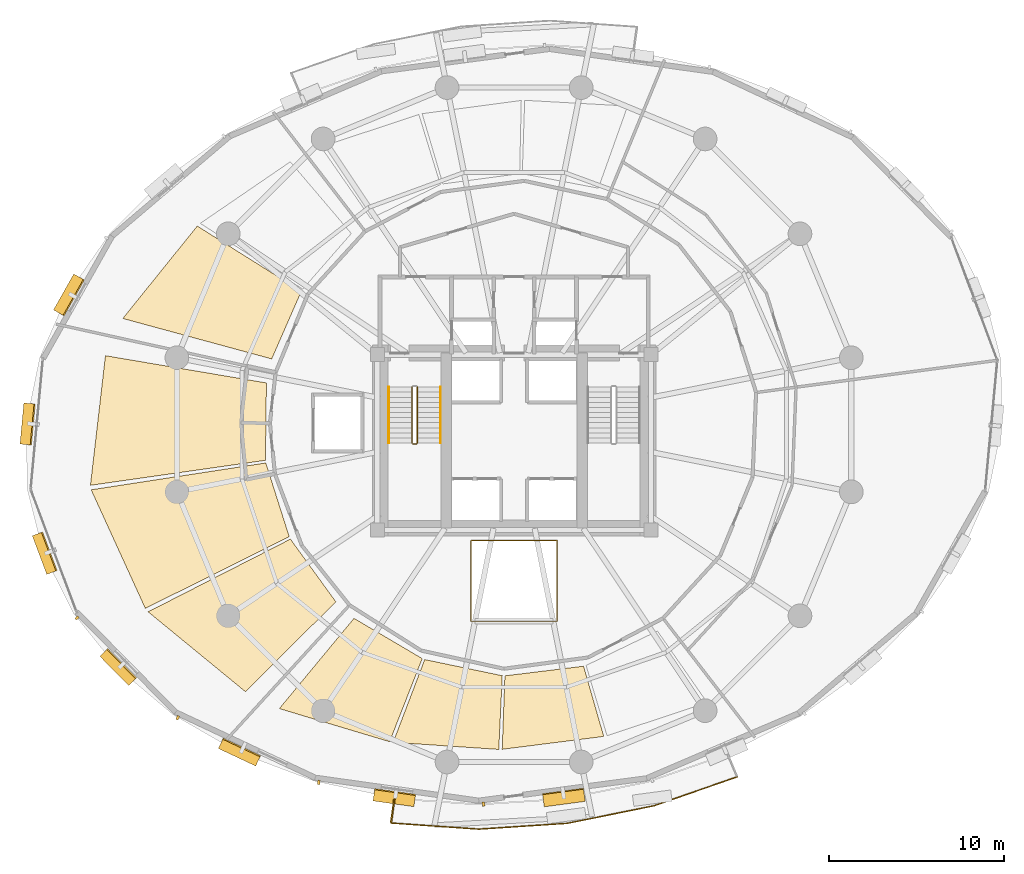
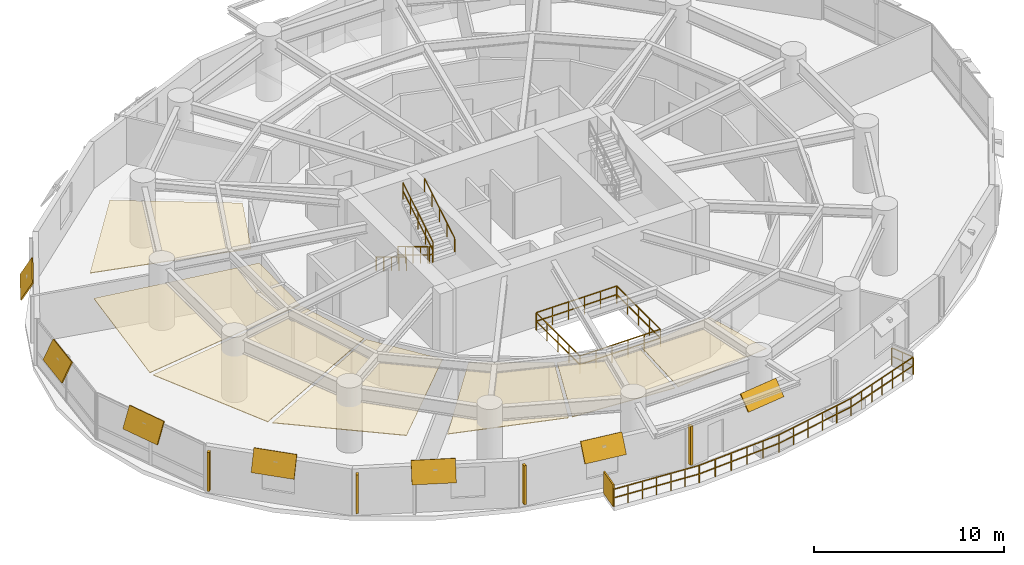
# One storey, part 15 of 17: 12 shading devices, 7 coverings, 7 railings.
"""IFC4 building model written with IfcOpenShell, lengths in metres."""

import ifcopenshell
import ifcopenshell.guid

model = None  # the IFC model being written
_history = None  # IfcOwnerHistory: only IFC2X3 demands one
_inside = {}  # id of a spatial element -> (the spatial element, [elements in it])
_under = {}  # id of a project, library or spatial element -> (it, [spatial elements below it])
_declared = {}  # id of a project -> (the project, [libraries it declares])
_typed = {}  # id of a type object -> (the type object, [elements of that type])
_made_of = {}  # id of a material, layer set ... -> (it, [elements and type objects made of it])


def new_model(schema):
    """Start an empty IFC model of exactly this schema.

    Asked for "IFC4X3", IfcOpenShell would pick the latest addendum, in which some entities
    have other attributes; the version numbers below select the first issue.
    IFC2X3 requires an IfcOwnerHistory on every rooted entity: one is made here for all.
    """
    global model, _history
    if schema == "IFC4X3":
        model = ifcopenshell.file(schema_version=(4, 3, 0, 0))
    else:
        model = ifcopenshell.file(schema=schema)
    _inside.clear()
    _under.clear()
    _declared.clear()
    _typed.clear()
    _made_of.clear()
    _history = None
    if model.schema == "IFC2X3":
        org = make("IfcOrganization", Name="unknown")
        user = make(
            "IfcPersonAndOrganization",
            ThePerson=make("IfcPerson", FamilyName="unknown"),
            TheOrganization=org,
        )
        app = make(
            "IfcApplication",
            ApplicationDeveloper=org,
            Version="unknown",
            ApplicationFullName="unknown",
            ApplicationIdentifier="unknown",
        )
        _history = make(
            "IfcOwnerHistory",
            OwningUser=user,
            OwningApplication=app,
            ChangeAction="ADDED",
            CreationDate=0,
        )
    return model


def make(cls, **values):
    """One entity of the class cls with the attributes given. An attribute that is None is left unset."""
    return model.create_entity(
        cls, **{name: value for name, value in values.items() if value is not None}
    )


def rooted(cls, **values):
    """An entity with a GlobalId (a new one), such as an element, a storey or a relation."""
    return make(cls, GlobalId=ifcopenshell.guid.new(), OwnerHistory=_history, **values)


def si_unit(unit_type, name, prefix=None):
    """IfcSIUnit, for example si_unit("LENGTHUNIT", "METRE", prefix="MILLI")."""
    return make("IfcSIUnit", UnitType=unit_type, Prefix=prefix, Name=name)


def assignment(units):
    """IfcUnitAssignment: the units of a project."""
    return None if units is None else make("IfcUnitAssignment", Units=units)


def point(xyz):
    """IfcCartesianPoint."""
    return None if xyz is None else make("IfcCartesianPoint", Coordinates=xyz)


def direction(xyz):
    """IfcDirection."""
    return None if xyz is None else make("IfcDirection", DirectionRatios=xyz)


def frame(location, z_axis=None, x_axis=None):
    """IfcAxis2Placement3D, a coordinate frame: its origin and axes. An axis left out is left unset."""
    return make(
        "IfcAxis2Placement3D",
        Location=point(location),
        Axis=direction(z_axis),
        RefDirection=direction(x_axis),
    )


def frame_2d(location, x_axis=None):
    """IfcAxis2Placement2D, a coordinate frame in the plane: its origin and x axis."""
    return make(
        "IfcAxis2Placement2D", Location=point(location), RefDirection=direction(x_axis)
    )


def origin():
    """The frame at (0, 0, 0) with its axes left unset."""
    return frame((0.0, 0.0, 0.0))


def origin_2d():
    """The frame at (0, 0) in the plane with its x axis left unset."""
    return frame_2d((0.0, 0.0))


def place(relative_to, where):
    """IfcLocalPlacement: puts the frame where relative to a parent placement (None: the world)."""
    return make(
        "IfcLocalPlacement", PlacementRelTo=relative_to, RelativePlacement=where
    )


def context(
    kind, dimensions, precision=None, world=None, true_north=None, identifier=None
):
    """IfcGeometricRepresentationContext, for example the 3D "Model" context."""
    return make(
        "IfcGeometricRepresentationContext",
        ContextIdentifier=identifier,
        ContextType=kind,
        CoordinateSpaceDimension=dimensions,
        Precision=precision,
        WorldCoordinateSystem=world,
        TrueNorth=true_north,
    )


def subcontext(parent, identifier, kind, view, scale=None):
    """IfcGeometricRepresentationSubContext, for example "Body" below "Model"."""
    return make(
        "IfcGeometricRepresentationSubContext",
        ContextIdentifier=identifier,
        ContextType=kind,
        ParentContext=parent,
        TargetScale=scale,
        TargetView=view,
    )


def project(units=None, contexts=None):
    """IfcProject with its units and contexts."""
    return rooted(
        "IfcProject",
        Name="project",
        RepresentationContexts=contexts,
        UnitsInContext=assignment(units),
    )


def spatial(cls, under=None, at=None, **own):
    """A site, building, storey or space (cls), placed at a placement, below another one or the project."""
    s = rooted(cls, ObjectPlacement=at, **own)
    if under is not None:
        _under.setdefault(under.id(), (under, []))[1].append(s)
    return s


def polyline(points):
    """IfcPolyline through the points."""
    return make("IfcPolyline", Points=[point(p) for p in points])


def profile(cls, at=None, kind="AREA", **sizes):
    """A parametric profile (cls). Its sizes go by their IFC names, for example OverallWidth=200.0."""
    return make(cls, ProfileType=kind, Position=at, **sizes)


def rectangle(**sizes):
    """IfcRectangleProfileDef."""
    return profile("IfcRectangleProfileDef", **sizes)


def outline(outer, holes=None, kind="AREA"):
    """IfcArbitraryClosedProfileDef: a profile drawn as a closed curve; with holes, ...WithVoids."""
    if holes is None:
        return make("IfcArbitraryClosedProfileDef", ProfileType=kind, OuterCurve=outer)
    return make(
        "IfcArbitraryProfileDefWithVoids",
        ProfileType=kind,
        OuterCurve=outer,
        InnerCurves=holes,
    )


def extrude(swept, where, along, depth):
    """IfcExtrudedAreaSolid: the profile swept, set in the frame where, extruded along a direction by depth."""
    return make(
        "IfcExtrudedAreaSolid",
        SweptArea=swept,
        Position=where,
        ExtrudedDirection=direction(along),
        Depth=depth,
    )


def shape(context_of_items, identifier, shape_type, items):
    """IfcShapeRepresentation: the items that make up one representation, for example the "Body"."""
    return make(
        "IfcShapeRepresentation",
        ContextOfItems=context_of_items,
        RepresentationIdentifier=identifier,
        RepresentationType=shape_type,
        Items=items,
    )


def material(Name=None, Category=None):
    """IfcMaterial."""
    return make("IfcMaterial", Name=Name, Category=Category)


def layer(
    of_material, thickness, ventilated=None, Name=None, Category=None, Priority=None
):
    """IfcMaterialLayer: one layer of a wall or slab, of a material (None: an air gap)."""
    return make(
        "IfcMaterialLayer",
        Material=of_material,
        LayerThickness=thickness,
        IsVentilated=ventilated,
        Name=Name,
        Category=Category,
        Priority=Priority,
    )


def layer_set(layers, Name=None):
    """IfcMaterialLayerSet."""
    return make("IfcMaterialLayerSet", MaterialLayers=layers, LayerSetName=Name)


def made_of(thing, what):
    """Note that an element or type object is made of a material, layer set ...; save() writes the relation."""
    if what is not None:
        _made_of.setdefault(what.id(), (what, []))[1].append(thing)
    return thing


def type_object(cls, material=None, **own):
    """A type object (cls), such as IfcWallType, which elements share."""
    return made_of(rooted(cls, **own), material)


def element(
    cls,
    number,
    at=None,
    inside=None,
    cuts=None,
    type_object=None,
    material=None,
    context=None,
    identifier="Body",
    shape_type=None,
    held_by="IfcProductDefinitionShape",
    body=None,
    shapes=None,
    **own,
):
    """One element of the class cls, such as IfcWall. Its Tag is "e" and its number.

    at: its placement. inside: the storey or other place that contains it. cuts: it is an
    opening in that element (IfcRelVoidsElement). A single representation is given by context,
    identifier, shape_type and body (its items); several are given by shapes. held_by: the class
    of the entity that holds the representations. save() writes the other relations.
    """
    e = rooted(cls, Tag="e%d" % number, ObjectPlacement=at, **own)
    if body is not None:
        shapes = [shape(context, identifier, shape_type, body)]
    if shapes is not None:
        e.Representation = make(held_by, Representations=shapes)
    if inside is not None:
        _inside.setdefault(inside.id(), (inside, []))[1].append(e)
    if cuts is not None:
        rooted(
            "IfcRelVoidsElement", RelatingBuildingElement=cuts, RelatedOpeningElement=e
        )
    if type_object is not None:
        _typed.setdefault(type_object.id(), (type_object, []))[1].append(e)
    return made_of(e, material)


def aggregate(whole, parts):
    """IfcRelAggregates: a whole, such as a stair, and the parts it consists of."""
    return rooted("IfcRelAggregates", RelatingObject=whole, RelatedObjects=parts)


def save(model, path):
    """Write the relations noted so far, then the file.

    IfcRelAggregates (storeys below a building ...), IfcRelContainedInSpatialStructure (elements
    in a storey), IfcRelDefinesByType, IfcRelAssociatesMaterial and IfcRelDeclares: one each for
    every whole, place, type object, material and project.
    """
    for whole, parts in _under.values():
        aggregate(whole, parts)
    for where, things in _inside.values():
        rooted(
            "IfcRelContainedInSpatialStructure",
            RelatedElements=things,
            RelatingStructure=where,
        )
    for kind, things in _typed.values():
        rooted("IfcRelDefinesByType", RelatedObjects=things, RelatingType=kind)
    for what, things in _made_of.values():
        rooted("IfcRelAssociatesMaterial", RelatedObjects=things, RelatingMaterial=what)
    for by, libraries in _declared.values():
        rooted("IfcRelDeclares", RelatingContext=by, RelatedDefinitions=libraries)
    model.write(path)


model = new_model("IFC4")

# Units and contexts
model_context = context("Model", 3, precision=1e-05, world=origin(), true_north=direction((0.0, 1.0)))
body_context = subcontext(model_context, "Body", "Model", "MODEL_VIEW")
ifc_project = project(units=[si_unit("LENGTHUNIT", "METRE"), si_unit("AREAUNIT", "SQUARE_METRE"), si_unit("VOLUMEUNIT", "CUBIC_METRE"), si_unit("PLANEANGLEUNIT", "RADIAN"), si_unit("MASSUNIT", "GRAM", prefix="KILO"), si_unit("THERMODYNAMICTEMPERATUREUNIT", "KELVIN"), si_unit("POWERUNIT", "WATT")], contexts=[model_context])

# Site, building, storey
site_placement = place(None, origin())
site = spatial("IfcSite", under=ifc_project, at=site_placement, CompositionType="ELEMENT")
building_placement = place(site_placement, origin())
building = spatial("IfcBuilding", under=site, at=building_placement, Name="Ocrelia Relay Tower", CompositionType="ELEMENT")
storey_placement = place(building_placement, frame((0.0, 0.0, 63.60009765625)))
storey = spatial("IfcBuildingStorey", under=building, at=storey_placement, Name="L14", CompositionType="ELEMENT", Elevation=63.60009765625)

# Coverings
ifc_material_1 = material(Name="Mineral-fiber acoustic ceiling tile", Category="gypsum")
ifc_layer_1 = layer(ifc_material_1, 0.0400390625, Name="Mineral-fiber acoustic ceiling tile")
ifc_layer_set_1 = layer_set([ifc_layer_1], Name="Mineral-fiber acoustic ceiling tile")
covering_type_1 = type_object("IfcCoveringType", Name="COV-CEIL-ACOUSTIC", PredefinedType="CEILING", material=ifc_layer_set_1)
covering_1_placement = place(storey_placement, frame((0.0, 0.0, 2.919921875)))
element("IfcCovering", 1, at=covering_1_placement, inside=storey, type_object=covering_type_1, Name="L14 Technical Reference Library Suspended Ceiling 1", PredefinedType="CEILING", context=body_context, shape_type="SweptSolid", body=[
    extrude(outline(polyline([(19.880615234375, 28.38818359375), (10.701904296875, 29.940673828125), (9.84619140625, 22.548095703125), (19.823974609375, 23.97412109375), (19.880615234375, 28.38818359375)])), origin(), (0.0, 0.0, 1.0), 0.0400390625),
])
covering_2_placement = place(storey_placement, frame((0.0, 0.0, 2.919921875)))
element("IfcCovering", 2, at=covering_2_placement, inside=storey, type_object=covering_type_1, Name="L14 Technical Reference Library Suspended Ceiling 2", PredefinedType="CEILING", context=body_context, shape_type="SweptSolid", body=[
    extrude(outline(polyline([(19.845947265625, 23.82568359375), (9.886474609375, 22.2958984375), (12.97509765625, 15.53271484375), (21.180908203125, 19.617919921875), (19.845947265625, 23.82568359375)])), origin(), (0.0, 0.0, 1.0), 0.0400390625),
])
covering_3_placement = place(storey_placement, frame((0.0, 0.0, 2.919921875)))
element("IfcCovering", 3, at=covering_3_placement, inside=storey, type_object=covering_type_1, Name="L14 Technical Reference Library Suspended Ceiling 3", PredefinedType="CEILING", context=body_context, shape_type="SweptSolid", body=[
    extrude(outline(polyline([(21.248291015625, 19.48388671875), (13.133544921875, 15.33740234375), (18.680419921875, 10.787109375), (23.8388671875, 15.90966796875), (21.248291015625, 19.48388671875)])), origin(), (0.0, 0.0, 1.0), 0.0400390625),
])
covering_4_placement = place(storey_placement, frame((0.0, 0.0, 2.919921875)))
element("IfcCovering", 4, at=covering_4_placement, inside=storey, type_object=covering_type_1, Name="L14 Executive Reading Study Suspended Ceiling 2", PredefinedType="CEILING", context=body_context, shape_type="SweptSolid", body=[
    extrude(outline(polyline([(21.869140625, 33.609619140625), (15.937255859375, 37.330810546875), (11.68994140625, 32.0615234375), (20.180908203125, 29.75439453125), (21.869140625, 33.609619140625)])), origin(), (0.0, 0.0, 1.0), 0.0400390625),
])
ifc_material_2 = material(Name="Cleanroom metal-pan acoustic ceiling", Category="aluminium")
ifc_layer_2 = layer(ifc_material_2, 0.0400390625, Name="Cleanroom metal-pan acoustic ceiling")
ifc_layer_set_2 = layer_set([ifc_layer_2], Name="Cleanroom metal-pan acoustic ceiling")
covering_type_2 = type_object("IfcCoveringType", Name="COV-CEIL-CLEAN", PredefinedType="CEILING", material=ifc_layer_set_2)
covering_5_placement = place(storey_placement, frame((0.0, 0.0, 2.919921875)))
element("IfcCovering", 5, at=covering_5_placement, inside=storey, type_object=covering_type_2, Name="L14 Colocation Data Hall A Suspended Ceiling 1", PredefinedType="CEILING", context=body_context, shape_type="SweptSolid", body=[
    extrude(outline(polyline([(24.8720703125, 14.96630859375), (20.61474609375, 9.820068359375), (26.900634765625, 7.930908203125), (28.76318359375, 12.671875), (24.8720703125, 14.96630859375)])), origin(), (0.0, 0.0, 1.0), 0.0400390625),
])
covering_6_placement = place(storey_placement, frame((0.0, 0.0, 2.919921875)))
element("IfcCovering", 6, at=covering_6_placement, inside=storey, type_object=covering_type_2, Name="L14 Colocation Data Hall A Suspended Ceiling 2", PredefinedType="CEILING", context=body_context, shape_type="SweptSolid", body=[
    extrude(outline(polyline([(28.9033203125, 12.61767578125), (27.104736328125, 7.89599609375), (33.127197265625, 7.492431640625), (33.325439453125, 11.69580078125), (28.9033203125, 12.61767578125)])), origin(), (0.0, 0.0, 1.0), 0.0400390625),
])
covering_7_placement = place(storey_placement, frame((0.0, 0.0, 2.919921875)))
element("IfcCovering", 7, at=covering_7_placement, inside=storey, type_object=covering_type_2, Name="L14 Colocation Data Hall A Suspended Ceiling 3", PredefinedType="CEILING", context=body_context, shape_type="SweptSolid", body=[
    extrude(outline(polyline([(33.475341796875, 11.689697265625), (33.321533203125, 7.498779296875), (39.111083984375, 8.234375), (37.958984375, 12.23828125), (33.475341796875, 11.689697265625)])), origin(), (0.0, 0.0, 1.0), 0.0400390625),
])

# Railings
ifc_material_3 = material(Name="Steel S355 balustrade", Category="steel")
railing_type_1 = type_object("IfcRailingType", Name="RL-EXT-GUARD-1150", PredefinedType="GUARDRAIL", material=ifc_material_3)
railing_1_placement = place(storey_placement, frame((46.176513671875, 7.212890625, 0.0)))
element("IfcRailing", 8, at=railing_1_placement, inside=storey, type_object=railing_type_1, Name="L14 Loggia Balcony Guard Rail B2", PredefinedType="GUARDRAIL", context=body_context, shape_type="SweptSolid", body=[
    extrude(rectangle(XDim=0.048095703125, YDim=0.048095703125, at=origin_2d()), frame((0.0, 0.0, 1.1259765625), z_axis=(0.39495528775, -0.918700343245, 0.0), x_axis=(0.918700343245, 0.39495528775, 0.0)), (0.0, 0.0, 1.0), 1.393310546875),
    extrude(rectangle(XDim=0.048095703125, YDim=0.048095703125, at=origin_2d()), frame((0.0, 0.0, 0.574951171875), z_axis=(0.39495528775, -0.918700343245, 0.0), x_axis=(0.918700343245, 0.39495528775, 0.0)), (0.0, 0.0, 1.0), 1.393310546875),
    extrude(rectangle(XDim=0.048095703125, YDim=0.048095703125, at=origin_2d()), frame((0.55029296875, -1.280029296875, 1.1259765625), z_axis=(-0.944216392718, -0.329325680326, 0.0), x_axis=(0.329325680326, -0.944216392718, 0.0)), (0.0, 0.0, 1.0), 2.5048828125),
    extrude(rectangle(XDim=0.048095703125, YDim=0.048095703125, at=origin_2d()), frame((0.55029296875, -1.280029296875, 0.574951171875), z_axis=(-0.944216392718, -0.329325680326, 0.0), x_axis=(0.329325680326, -0.944216392718, 0.0)), (0.0, 0.0, 1.0), 2.5048828125),
    extrude(rectangle(XDim=0.048095703125, YDim=0.048095703125, at=origin_2d()), frame((-1.81494140625, -2.10498046875, 1.1259765625), z_axis=(-0.94425725974, -0.329208486263, 0.0), x_axis=(0.329208486263, -0.94425725974, 0.0)), (0.0, 0.0, 1.0), 2.505126953125),
    extrude(rectangle(XDim=0.048095703125, YDim=0.048095703125, at=origin_2d()), frame((-1.81494140625, -2.10498046875, 0.574951171875), z_axis=(-0.94425725974, -0.329208486263, 0.0), x_axis=(0.329208486263, -0.94425725974, 0.0)), (0.0, 0.0, 1.0), 2.505126953125),
    extrude(rectangle(XDim=0.048095703125, YDim=0.048095703125, at=origin_2d()), frame((-4.180419921875, -2.9296875, 1.1259765625), z_axis=(-0.980121967417, -0.198395889539, 0.0), x_axis=(0.198395889539, -0.980121967417, 0.0)), (0.0, 0.0, 1.0), 5.06494140625),
    extrude(rectangle(XDim=0.048095703125, YDim=0.048095703125, at=origin_2d()), frame((-4.180419921875, -2.9296875, 0.574951171875), z_axis=(-0.980121967417, -0.198395889539, 0.0), x_axis=(0.198395889539, -0.980121967417, 0.0)), (0.0, 0.0, 1.0), 5.06494140625),
    extrude(rectangle(XDim=0.048095703125, YDim=0.048095703125, at=origin_2d()), frame((-9.144775390625, -3.9345703125, 1.1259765625), z_axis=(-0.997849099772, -0.065552834301, 0.0), x_axis=(0.065552834301, -0.997849099772, 0.0)), (0.0, 0.0, 1.0), 5.065185546875),
    extrude(rectangle(XDim=0.048095703125, YDim=0.048095703125, at=origin_2d()), frame((-9.144775390625, -3.9345703125, 0.574951171875), z_axis=(-0.997849099772, -0.065552834301, 0.0), x_axis=(0.065552834301, -0.997849099772, 0.0)), (0.0, 0.0, 1.0), 5.065185546875),
    extrude(rectangle(XDim=0.048095703125, YDim=0.048095703125, at=origin_2d()), frame((-14.198974609375, -4.2666015625, 1.1259765625), z_axis=(-0.99753480624, 0.070173430434, 0.0), x_axis=(-0.070173430434, -0.99753480624, 0.0)), (0.0, 0.0, 1.0), 2.5048828125),
    extrude(rectangle(XDim=0.048095703125, YDim=0.048095703125, at=origin_2d()), frame((-14.198974609375, -4.2666015625, 0.574951171875), z_axis=(-0.99753480624, 0.070173430434, 0.0), x_axis=(-0.070173430434, -0.99753480624, 0.0)), (0.0, 0.0, 1.0), 2.5048828125),
    extrude(rectangle(XDim=0.048095703125, YDim=0.048095703125, at=origin_2d()), frame((-16.69775390625, -4.0908203125, 1.1259765625), z_axis=(-0.997527979113, 0.070270412598, 0.0), x_axis=(-0.070270412598, -0.997527979113, 0.0)), (0.0, 0.0, 1.0), 2.5048828125),
    extrude(rectangle(XDim=0.048095703125, YDim=0.048095703125, at=origin_2d()), frame((-16.69775390625, -4.0908203125, 0.574951171875), z_axis=(-0.997527979113, 0.070270412598, 0.0), x_axis=(-0.070270412598, -0.997527979113, 0.0)), (0.0, 0.0, 1.0), 2.5048828125),
    extrude(rectangle(XDim=0.048095703125, YDim=0.048095703125, at=origin_2d()), frame((-19.196533203125, -3.914794921875, 1.1259765625), z_axis=(0.140170224063, 0.990127420227, 0.0), x_axis=(-0.990127420227, 0.140170224063, 0.0)), (0.0, 0.0, 1.0), 1.393310546875),
    extrude(rectangle(XDim=0.048095703125, YDim=0.048095703125, at=origin_2d()), frame((-19.196533203125, -3.914794921875, 0.574951171875), z_axis=(0.140170224063, 0.990127420227, 0.0), x_axis=(-0.990127420227, 0.140170224063, 0.0)), (0.0, 0.0, 1.0), 1.393310546875),
    extrude(rectangle(XDim=0.0419921875, YDim=0.0419921875, at=origin_2d()), origin(), (0.0, 0.0, 1.0), 1.101806640625),
    extrude(rectangle(XDim=0.0419921875, YDim=0.0419921875, at=origin_2d()), frame((0.275146484375, -0.64013671875, 0.0)), (0.0, 0.0, 1.0), 1.101806640625),
    extrude(rectangle(XDim=0.0419921875, YDim=0.0419921875, at=origin_2d()), frame((0.55029296875, -1.280029296875, 0.0)), (0.0, 0.0, 1.0), 1.101806640625),
    extrude(rectangle(XDim=0.0419921875, YDim=0.0419921875, at=origin_2d()), frame((-0.238037109375, -1.554931640625, 0.0)), (0.0, 0.0, 1.0), 1.101806640625),
    extrude(rectangle(XDim=0.0419921875, YDim=0.0419921875, at=origin_2d()), frame((-1.026611328125, -1.830078125, 0.0)), (0.0, 0.0, 1.0), 1.101806640625),
    extrude(rectangle(XDim=0.0419921875, YDim=0.0419921875, at=origin_2d()), frame((-1.81494140625, -2.10498046875, 0.0)), (0.0, 0.0, 1.0), 1.101806640625),
    extrude(rectangle(XDim=0.0419921875, YDim=0.0419921875, at=origin_2d()), frame((-2.603515625, -2.3798828125, 0.0)), (0.0, 0.0, 1.0), 1.101806640625),
    extrude(rectangle(XDim=0.0419921875, YDim=0.0419921875, at=origin_2d()), frame((-3.391845703125, -2.65478515625, 0.0)), (0.0, 0.0, 1.0), 1.101806640625),
    extrude(rectangle(XDim=0.0419921875, YDim=0.0419921875, at=origin_2d()), frame((-4.180419921875, -2.9296875, 0.0)), (0.0, 0.0, 1.0), 1.101806640625),
    extrude(rectangle(XDim=0.0419921875, YDim=0.0419921875, at=origin_2d()), frame((-5.17333984375, -3.130615234375, 0.0)), (0.0, 0.0, 1.0), 1.101806640625),
    extrude(rectangle(XDim=0.0419921875, YDim=0.0419921875, at=origin_2d()), frame((-6.166259765625, -3.33154296875, 0.0)), (0.0, 0.0, 1.0), 1.101806640625),
    extrude(rectangle(XDim=0.0419921875, YDim=0.0419921875, at=origin_2d()), frame((-7.158935546875, -3.53271484375, 0.0)), (0.0, 0.0, 1.0), 1.101806640625),
    extrude(rectangle(XDim=0.0419921875, YDim=0.0419921875, at=origin_2d()), frame((-8.15185546875, -3.733642578125, 0.0)), (0.0, 0.0, 1.0), 1.101806640625),
    extrude(rectangle(XDim=0.0419921875, YDim=0.0419921875, at=origin_2d()), frame((-9.144775390625, -3.9345703125, 0.0)), (0.0, 0.0, 1.0), 1.101806640625),
    extrude(rectangle(XDim=0.0419921875, YDim=0.0419921875, at=origin_2d()), frame((-10.155517578125, -4.0009765625, 0.0)), (0.0, 0.0, 1.0), 1.101806640625),
    extrude(rectangle(XDim=0.0419921875, YDim=0.0419921875, at=origin_2d()), frame((-11.16650390625, -4.0673828125, 0.0)), (0.0, 0.0, 1.0), 1.101806640625),
    extrude(rectangle(XDim=0.0419921875, YDim=0.0419921875, at=origin_2d()), frame((-12.17724609375, -4.1337890625, 0.0)), (0.0, 0.0, 1.0), 1.101806640625),
    extrude(rectangle(XDim=0.0419921875, YDim=0.0419921875, at=origin_2d()), frame((-13.188232421875, -4.2001953125, 0.0)), (0.0, 0.0, 1.0), 1.101806640625),
    extrude(rectangle(XDim=0.0419921875, YDim=0.0419921875, at=origin_2d()), frame((-14.198974609375, -4.2666015625, 0.0)), (0.0, 0.0, 1.0), 1.101806640625),
    extrude(rectangle(XDim=0.0419921875, YDim=0.0419921875, at=origin_2d()), frame((-15.031982421875, -4.2080078125, 0.0)), (0.0, 0.0, 1.0), 1.101806640625),
    extrude(rectangle(XDim=0.0419921875, YDim=0.0419921875, at=origin_2d()), frame((-15.86474609375, -4.1494140625, 0.0)), (0.0, 0.0, 1.0), 1.101806640625),
    extrude(rectangle(XDim=0.0419921875, YDim=0.0419921875, at=origin_2d()), frame((-16.69775390625, -4.0908203125, 0.0)), (0.0, 0.0, 1.0), 1.101806640625),
    extrude(rectangle(XDim=0.0419921875, YDim=0.0419921875, at=origin_2d()), frame((-17.53076171875, -4.0322265625, 0.0)), (0.0, 0.0, 1.0), 1.101806640625),
    extrude(rectangle(XDim=0.0419921875, YDim=0.0419921875, at=origin_2d()), frame((-18.363525390625, -3.973388671875, 0.0)), (0.0, 0.0, 1.0), 1.101806640625),
    extrude(rectangle(XDim=0.0419921875, YDim=0.0419921875, at=origin_2d()), frame((-19.196533203125, -3.914794921875, 0.0)), (0.0, 0.0, 1.0), 1.101806640625),
    extrude(rectangle(XDim=0.0419921875, YDim=0.0419921875, at=origin_2d()), frame((-19.098876953125, -3.22509765625, 0.0)), (0.0, 0.0, 1.0), 1.101806640625),
    extrude(rectangle(XDim=0.0419921875, YDim=0.0419921875, at=origin_2d()), frame((-19.001220703125, -2.53515625, 0.0)), (0.0, 0.0, 1.0), 1.101806640625),
])
ifc_material_4 = material(Name="Steel S355 atrium balustrade", Category="steel")
railing_type_2 = type_object("IfcRailingType", Name="RL-INT-GUARD-115", PredefinedType="GUARDRAIL", material=ifc_material_4)
railing_2_placement = place(storey_placement, frame((31.550048828125, 14.800048828125, 0.0)))
element("IfcRailing", 9, at=railing_2_placement, inside=storey, type_object=railing_type_2, Name="L14 Multi-Zone Interior Atrium Guard", PredefinedType="GUARDRAIL", context=body_context, shape_type="SweptSolid", body=[
    extrude(rectangle(XDim=0.048095703125, YDim=0.048095703125, at=origin_2d()), frame((0.0, 0.0, 1.1259765625), z_axis=(1.0, 0.0, 0.0), x_axis=(0.0, 1.0, 0.0)), (0.0, 0.0, 1.0), 4.89990234375),
    extrude(rectangle(XDim=0.048095703125, YDim=0.048095703125, at=origin_2d()), frame((0.0, 0.0, 0.574951171875), z_axis=(1.0, 0.0, 0.0), x_axis=(0.0, 1.0, 0.0)), (0.0, 0.0, 1.0), 4.89990234375),
    extrude(rectangle(XDim=0.048095703125, YDim=0.048095703125, at=origin_2d()), frame((4.89990234375, 0.0, 1.1259765625), z_axis=(0.0, 1.0, 0.0), x_axis=(-1.0, 0.0, 0.0)), (0.0, 0.0, 1.0), 4.599853515625),
    extrude(rectangle(XDim=0.048095703125, YDim=0.048095703125, at=origin_2d()), frame((4.89990234375, 0.0, 0.574951171875), z_axis=(0.0, 1.0, 0.0), x_axis=(-1.0, 0.0, 0.0)), (0.0, 0.0, 1.0), 4.599853515625),
    extrude(rectangle(XDim=0.048095703125, YDim=0.048095703125, at=origin_2d()), frame((4.89990234375, 4.599853515625, 1.1259765625), z_axis=(-1.0, 0.0, 0.0), x_axis=(0.0, -1.0, 0.0)), (0.0, 0.0, 1.0), 4.89990234375),
    extrude(rectangle(XDim=0.048095703125, YDim=0.048095703125, at=origin_2d()), frame((4.89990234375, 4.599853515625, 0.574951171875), z_axis=(-1.0, 0.0, 0.0), x_axis=(0.0, -1.0, 0.0)), (0.0, 0.0, 1.0), 4.89990234375),
    extrude(rectangle(XDim=0.048095703125, YDim=0.048095703125, at=origin_2d()), frame((0.0, 4.599853515625, 1.1259765625), z_axis=(0.0, -1.0, 0.0), x_axis=(1.0, 0.0, 0.0)), (0.0, 0.0, 1.0), 4.599853515625),
    extrude(rectangle(XDim=0.048095703125, YDim=0.048095703125, at=origin_2d()), frame((0.0, 4.599853515625, 0.574951171875), z_axis=(0.0, -1.0, 0.0), x_axis=(1.0, 0.0, 0.0)), (0.0, 0.0, 1.0), 4.599853515625),
    extrude(rectangle(XDim=0.0419921875, YDim=0.0419921875, at=origin_2d()), origin(), (0.0, 0.0, 1.0), 1.101806640625),
    extrude(rectangle(XDim=0.0419921875, YDim=0.0419921875, at=origin_2d()), frame((0.97998046875, 0.0, 0.0)), (0.0, 0.0, 1.0), 1.101806640625),
    extrude(rectangle(XDim=0.0419921875, YDim=0.0419921875, at=origin_2d()), frame((1.9599609375, 0.0, 0.0)), (0.0, 0.0, 1.0), 1.101806640625),
    extrude(rectangle(XDim=0.0419921875, YDim=0.0419921875, at=origin_2d()), frame((2.93994140625, 0.0, 0.0)), (0.0, 0.0, 1.0), 1.101806640625),
    extrude(rectangle(XDim=0.0419921875, YDim=0.0419921875, at=origin_2d()), frame((3.919921875, 0.0, 0.0)), (0.0, 0.0, 1.0), 1.101806640625),
    extrude(rectangle(XDim=0.0419921875, YDim=0.0419921875, at=origin_2d()), frame((4.89990234375, 0.0, 0.0)), (0.0, 0.0, 1.0), 1.101806640625),
    extrude(rectangle(XDim=0.0419921875, YDim=0.0419921875, at=origin_2d()), frame((4.89990234375, 1.14990234375, 0.0)), (0.0, 0.0, 1.0), 1.101806640625),
    extrude(rectangle(XDim=0.0419921875, YDim=0.0419921875, at=origin_2d()), frame((4.89990234375, 2.2998046875, 0.0)), (0.0, 0.0, 1.0), 1.101806640625),
    extrude(rectangle(XDim=0.0419921875, YDim=0.0419921875, at=origin_2d()), frame((4.89990234375, 3.449951171875, 0.0)), (0.0, 0.0, 1.0), 1.101806640625),
    extrude(rectangle(XDim=0.0419921875, YDim=0.0419921875, at=origin_2d()), frame((4.89990234375, 4.599853515625, 0.0)), (0.0, 0.0, 1.0), 1.101806640625),
    extrude(rectangle(XDim=0.0419921875, YDim=0.0419921875, at=origin_2d()), frame((3.919921875, 4.599853515625, 0.0)), (0.0, 0.0, 1.0), 1.101806640625),
    extrude(rectangle(XDim=0.0419921875, YDim=0.0419921875, at=origin_2d()), frame((2.93994140625, 4.599853515625, 0.0)), (0.0, 0.0, 1.0), 1.101806640625),
    extrude(rectangle(XDim=0.0419921875, YDim=0.0419921875, at=origin_2d()), frame((1.9599609375, 4.599853515625, 0.0)), (0.0, 0.0, 1.0), 1.101806640625),
    extrude(rectangle(XDim=0.0419921875, YDim=0.0419921875, at=origin_2d()), frame((0.97998046875, 4.599853515625, 0.0)), (0.0, 0.0, 1.0), 1.101806640625),
    extrude(rectangle(XDim=0.0419921875, YDim=0.0419921875, at=origin_2d()), frame((0.0, 4.599853515625, 0.0)), (0.0, 0.0, 1.0), 1.101806640625),
    extrude(rectangle(XDim=0.0419921875, YDim=0.0419921875, at=origin_2d()), frame((0.0, 3.449951171875, 0.0)), (0.0, 0.0, 1.0), 1.101806640625),
    extrude(rectangle(XDim=0.0419921875, YDim=0.0419921875, at=origin_2d()), frame((0.0, 2.2998046875, 0.0)), (0.0, 0.0, 1.0), 1.101806640625),
    extrude(rectangle(XDim=0.0419921875, YDim=0.0419921875, at=origin_2d()), frame((0.0, 1.14990234375, 0.0)), (0.0, 0.0, 1.0), 1.101806640625),
])
railing_type_3 = type_object("IfcRailingType", Name="RL-STAIR-GUARD", PredefinedType="GUARDRAIL", material=ifc_material_3)
railing_3_placement = place(storey_placement, frame((28.179931640625, 28.14990234375, 0.1748046875)))
element("IfcRailing", 10, at=railing_3_placement, inside=storey, type_object=railing_type_3, Name="L14 ST1 stair guard 1", PredefinedType="GUARDRAIL", context=body_context, shape_type="SweptSolid", body=[
    extrude(rectangle(XDim=0.048095703125, YDim=0.048095703125, at=origin_2d()), frame((0.0, 0.0, 1.076171875), z_axis=(0.0, -0.856177665481, 0.516681531633), x_axis=(1.0, 0.0, 0.0)), (0.0, 0.0, 1.0), 3.725830078125),
    extrude(rectangle(XDim=0.048095703125, YDim=0.048095703125, at=origin_2d()), frame((0.0, 0.0, 0.550048828125), z_axis=(0.0, -0.856177665481, 0.516681531633), x_axis=(1.0, 0.0, 0.0)), (0.0, 0.0, 1.0), 3.725830078125),
    extrude(rectangle(XDim=0.0419921875, YDim=0.0419921875, at=origin_2d()), origin(), (0.0, 0.0, 1.0), 1.052001953125),
    extrude(rectangle(XDim=0.0419921875, YDim=0.0419921875, at=origin_2d()), frame((0.0, -0.79736328125, 0.481201171875)), (0.0, 0.0, 1.0), 1.052001953125),
    extrude(rectangle(XDim=0.0419921875, YDim=0.0419921875, at=origin_2d()), frame((0.0, -1.594970703125, 0.96240234375)), (0.0, 0.0, 1.0), 1.052001953125),
    extrude(rectangle(XDim=0.0419921875, YDim=0.0419921875, at=origin_2d()), frame((0.0, -2.392578125, 1.44384765625)), (0.0, 0.0, 1.0), 1.052001953125),
    extrude(rectangle(XDim=0.0419921875, YDim=0.0419921875, at=origin_2d()), frame((0.0, -3.18994140625, 1.925048828125)), (0.0, 0.0, 1.0), 1.052001953125),
])
railing_4_placement = place(storey_placement, frame((28.22998046875, 24.909912109375, 2.099853515625)))
element("IfcRailing", 11, at=railing_4_placement, inside=storey, type_object=railing_type_3, Name="L14 ST1 stair guard 2", PredefinedType="GUARDRAIL", context=body_context, shape_type="SweptSolid", body=[
    extrude(rectangle(XDim=0.048095703125, YDim=0.048095703125, at=origin_2d()), frame((0.0, 0.0, 1.076171875), z_axis=(1.0, 0.0, 0.0), x_axis=(0.0, 1.0, 0.0)), (0.0, 0.0, 1.0), 0.199951171875),
    extrude(rectangle(XDim=0.048095703125, YDim=0.048095703125, at=origin_2d()), frame((0.0, 0.0, 0.550048828125), z_axis=(1.0, 0.0, 0.0), x_axis=(0.0, 1.0, 0.0)), (0.0, 0.0, 1.0), 0.199951171875),
    extrude(rectangle(XDim=0.0419921875, YDim=0.0419921875, at=origin_2d()), origin(), (0.0, 0.0, 1.0), 1.052001953125),
    extrude(rectangle(XDim=0.0419921875, YDim=0.0419921875, at=origin_2d()), frame((0.199951171875, 0.0, 0.0)), (0.0, 0.0, 1.0), 1.052001953125),
])
railing_5_placement = place(storey_placement, frame((28.47998046875, 24.9599609375, 2.27490234375)))
element("IfcRailing", 12, at=railing_5_placement, inside=storey, type_object=railing_type_3, Name="L14 ST1 stair guard 3", PredefinedType="GUARDRAIL", context=body_context, shape_type="SweptSolid", body=[
    extrude(rectangle(XDim=0.048095703125, YDim=0.048095703125, at=origin_2d()), frame((0.0, 0.0, 1.076171875), z_axis=(0.0, 0.856177665481, 0.516681531633), x_axis=(-1.0, 0.0, 0.0)), (0.0, 0.0, 1.0), 3.725830078125),
    extrude(rectangle(XDim=0.048095703125, YDim=0.048095703125, at=origin_2d()), frame((0.0, 0.0, 0.550048828125), z_axis=(0.0, 0.856177665481, 0.516681531633), x_axis=(-1.0, 0.0, 0.0)), (0.0, 0.0, 1.0), 3.725830078125),
    extrude(rectangle(XDim=0.0419921875, YDim=0.0419921875, at=origin_2d()), origin(), (0.0, 0.0, 1.0), 1.052001953125),
    extrude(rectangle(XDim=0.0419921875, YDim=0.0419921875, at=origin_2d()), frame((0.0, 0.79736328125, 0.481201171875)), (0.0, 0.0, 1.0), 1.052001953125),
    extrude(rectangle(XDim=0.0419921875, YDim=0.0419921875, at=origin_2d()), frame((0.0, 1.594970703125, 0.96240234375)), (0.0, 0.0, 1.0), 1.052001953125),
    extrude(rectangle(XDim=0.0419921875, YDim=0.0419921875, at=origin_2d()), frame((0.0, 2.392578125, 1.44384765625)), (0.0, 0.0, 1.0), 1.052001953125),
    extrude(rectangle(XDim=0.0419921875, YDim=0.0419921875, at=origin_2d()), frame((0.0, 3.18994140625, 1.925048828125)), (0.0, 0.0, 1.0), 1.052001953125),
])
ifc_material_5 = material(Name="Steel S355 tubular handrail", Category="steel")
railing_type_4 = type_object("IfcRailingType", Name="RL-STAIR-HAND", PredefinedType="HANDRAIL", material=ifc_material_5)
railing_6_placement = place(storey_placement, frame((26.860107421875, 28.14990234375, 0.1748046875)))
element("IfcRailing", 13, at=railing_6_placement, inside=storey, type_object=railing_type_4, Name="L14 ST1 stair handrail 1", PredefinedType="HANDRAIL", context=body_context, shape_type="SweptSolid", body=[
    extrude(rectangle(XDim=0.048095703125, YDim=0.048095703125, at=origin_2d()), frame((0.0, 0.0, 0.8759765625), z_axis=(0.0, -0.856177665481, 0.516681531633), x_axis=(1.0, 0.0, 0.0)), (0.0, 0.0, 1.0), 3.725830078125),
    extrude(rectangle(XDim=0.0419921875, YDim=0.0419921875, at=origin_2d()), origin(), (0.0, 0.0, 1.0), 0.851806640625),
    extrude(rectangle(XDim=0.0419921875, YDim=0.0419921875, at=origin_2d()), frame((0.0, -0.79736328125, 0.481201171875)), (0.0, 0.0, 1.0), 0.851806640625),
    extrude(rectangle(XDim=0.0419921875, YDim=0.0419921875, at=origin_2d()), frame((0.0, -1.594970703125, 0.96240234375)), (0.0, 0.0, 1.0), 0.851806640625),
    extrude(rectangle(XDim=0.0419921875, YDim=0.0419921875, at=origin_2d()), frame((0.0, -2.392578125, 1.44384765625)), (0.0, 0.0, 1.0), 0.851806640625),
    extrude(rectangle(XDim=0.0419921875, YDim=0.0419921875, at=origin_2d()), frame((0.0, -3.18994140625, 1.925048828125)), (0.0, 0.0, 1.0), 0.851806640625),
])
railing_7_placement = place(storey_placement, frame((29.800048828125, 24.9599609375, 2.27490234375)))
element("IfcRailing", 14, at=railing_7_placement, inside=storey, type_object=railing_type_4, Name="L14 ST1 stair handrail 2", PredefinedType="HANDRAIL", context=body_context, shape_type="SweptSolid", body=[
    extrude(rectangle(XDim=0.048095703125, YDim=0.048095703125, at=origin_2d()), frame((0.0, 0.0, 0.8759765625), z_axis=(0.0, 0.856177665481, 0.516681531633), x_axis=(-1.0, 0.0, 0.0)), (0.0, 0.0, 1.0), 3.725830078125),
    extrude(rectangle(XDim=0.0419921875, YDim=0.0419921875, at=origin_2d()), origin(), (0.0, 0.0, 1.0), 0.851806640625),
    extrude(rectangle(XDim=0.0419921875, YDim=0.0419921875, at=origin_2d()), frame((0.0, 0.79736328125, 0.481201171875)), (0.0, 0.0, 1.0), 0.851806640625),
    extrude(rectangle(XDim=0.0419921875, YDim=0.0419921875, at=origin_2d()), frame((0.0, 1.594970703125, 0.96240234375)), (0.0, 0.0, 1.0), 0.851806640625),
    extrude(rectangle(XDim=0.0419921875, YDim=0.0419921875, at=origin_2d()), frame((0.0, 2.392578125, 1.44384765625)), (0.0, 0.0, 1.0), 0.851806640625),
    extrude(rectangle(XDim=0.0419921875, YDim=0.0419921875, at=origin_2d()), frame((0.0, 3.18994140625, 1.925048828125)), (0.0, 0.0, 1.0), 0.851806640625),
])

# Shading devices
ifc_material_6 = material(Name="Perforated oxide terracotta solar screen", Category="masonry")
ifc_layer_3 = layer(ifc_material_6, 0.090087890625, Name="Perforated oxide terracotta solar screen")
ifc_layer_set_3 = layer_set([ifc_layer_3], Name="Perforated oxide terracotta solar screen")
shading_device_type_1 = type_object("IfcShadingDeviceType", Name="SH-BALC-SCREEN", PredefinedType="USERDEFINED", material=ifc_layer_set_3)
shading_device_1_placement = place(storey_placement, frame((27.07763671875, 3.98779296875, 0.0), z_axis=(0.0, 0.0, 1.0), x_axis=(-0.140296026168, -0.99010960254, 0.0)))
element("IfcShadingDevice", 15, at=shading_device_1_placement, inside=storey, type_object=shading_device_type_1, Name="L14 Balcony Perforated Terracotta Screen B2-1", ObjectType="SCREEN", PredefinedType="USERDEFINED", context=body_context, shape_type="SweptSolid", body=[
    extrude(rectangle(XDim=1.340087890625, YDim=0.090087890625, at=origin_2d()), origin(), (0.0, 0.0, 1.0), 1.39990234375),
])
ifc_material_7 = material(Name="Extruded oxide terracotta vertical baguette", Category="masonry")
shading_device_type_2 = type_object("IfcShadingDeviceType", Name="SH-TERR-BAGUETTE", PredefinedType="USERDEFINED", material=ifc_material_7)
for number, where, z_axis, x_axis, name in (
    (16, (9.07421875, 14.99169921875, 0.25), (0.0, 0.0, 1.0), (0.702146566192, -0.71203244279, 0.0), "L14 Oxide Terracotta Vertical Baguette 11"),
    (17, (14.8212890625, 9.30224609375, 0.25), (0.0, 0.0, 1.0), (0.905290591783, -0.424792825304, 0.0), "L14 Oxide Terracotta Vertical Baguette 12"),
    (18, (22.867431640625, 5.6162109375, 0.25), (0.0, 0.0, 1.0), (0.990311838289, -0.138861308307, 0.0), "L14 Oxide Terracotta Vertical Baguette 13"),
    (19, (32.257568359375, 4.373291015625, 0.25), (0.0, 0.0, 1.0), (0.991215684516, 0.132255309043, 0.0), "L14 Oxide Terracotta Vertical Baguette 14"),
):
    element("IfcShadingDevice", number, at=place(storey_placement, frame(where, z_axis=z_axis, x_axis=x_axis)), inside=storey, type_object=shading_device_type_2, Name=name, ObjectType="BAGUETTE", PredefinedType="USERDEFINED", context=body_context, shape_type="SweptSolid", body=[
        extrude(rectangle(XDim=0.139892578125, YDim=0.239990234375, at=origin_2d()), origin(), (0.0, 0.0, 1.0), 2.5),
    ])
ifc_material_8 = material(Name="Extruded oxide terracotta fin", Category="masonry")
ifc_layer_4 = layer(ifc_material_8, 0.080078125, Name="Extruded oxide terracotta fin")
ifc_layer_set_4 = layer_set([ifc_layer_4], Name="Extruded oxide terracotta fin")
shading_device_type_3 = type_object("IfcShadingDeviceType", Name="SH-VISOR-FIN-DEEP", PredefinedType="USERDEFINED", material=ifc_layer_set_4)
shading_device_2_placement = place(storey_placement, frame((8.65185546875, 33.38623046875, 2.81982421875), z_axis=(-0.754800624941, 0.425300332103, 0.499395278414), x_axis=(-0.490896778038, -0.871217741619, 0.0)))
element("IfcShadingDevice", 20, at=shading_device_2_placement, inside=storey, type_object=shading_device_type_3, Name="L14 Canted Terracotta Sun-Visor Fin 08", ObjectType="FIN", PredefinedType="USERDEFINED", context=body_context, shape_type="SweptSolid", body=[
    extrude(rectangle(XDim=2.35009765625, YDim=1.2509765625, at=origin_2d()), origin(), (0.0, 0.0, 1.0), 0.080078125),
])
shading_device_3_placement = place(storey_placement, frame((6.3017578125, 26.0419921875, 2.822021484375), z_axis=(-0.892797330757, 0.083765350748, 0.442601730913), x_axis=(-0.093413227811, -0.995627424728, 0.0)))
element("IfcShadingDevice", 21, at=shading_device_3_placement, inside=storey, type_object=shading_device_type_3, Name="L14 Canted Terracotta Sun-Visor Fin 09", ObjectType="FIN", PredefinedType="USERDEFINED", context=body_context, shape_type="SweptSolid", body=[
    extrude(rectangle(XDim=2.35009765625, YDim=1.31201171875, at=origin_2d()), origin(), (0.0, 0.0, 1.0), 0.080078125),
])
shading_device_4_placement = place(storey_placement, frame((7.273681640625, 18.69482421875, 2.8232421875), z_axis=(-0.853081731599, -0.319974207418, 0.41215053779), x_axis=(0.351189410055, -0.936304436743, 0.0)))
element("IfcShadingDevice", 22, at=shading_device_4_placement, inside=storey, type_object=shading_device_type_3, Name="L14 Canted Terracotta Sun-Visor Fin 10", ObjectType="FIN", PredefinedType="USERDEFINED", context=body_context, shape_type="SweptSolid", body=[
    extrude(rectangle(XDim=2.35009765625, YDim=1.343994140625, at=origin_2d()), origin(), (0.0, 0.0, 1.0), 0.080078125),
])
shading_device_5_placement = place(storey_placement, frame((11.45361328125, 12.21337890625, 2.823486328125), z_axis=(-0.649713579149, -0.640692939244, 0.409126902895), x_axis=(0.702146566192, -0.71203244279, 0.0)))
element("IfcShadingDevice", 23, at=shading_device_5_placement, inside=storey, type_object=shading_device_type_3, Name="L14 Canted Terracotta Sun-Visor Fin 11", ObjectType="FIN", PredefinedType="USERDEFINED", context=body_context, shape_type="SweptSolid", body=[
    extrude(rectangle(XDim=2.35009765625, YDim=1.346923828125, at=origin_2d()), origin(), (0.0, 0.0, 1.0), 0.080078125),
])
shading_device_6_placement = place(storey_placement, frame((18.357666015625, 7.373291015625, 2.822021484375), z_axis=(-0.380985105813, -0.811930454936, 0.442288690219), x_axis=(0.905290591783, -0.424792825304, 0.0)))
element("IfcShadingDevice", 24, at=shading_device_6_placement, inside=storey, type_object=shading_device_type_3, Name="L14 Canted Terracotta Sun-Visor Fin 12", ObjectType="FIN", PredefinedType="USERDEFINED", context=body_context, shape_type="SweptSolid", body=[
    extrude(rectangle(XDim=2.35009765625, YDim=1.31298828125, at=origin_2d()), origin(), (0.0, 0.0, 1.0), 0.080078125),
])
shading_device_7_placement = place(storey_placement, frame((27.1767578125, 4.779052734375, 2.81884765625), z_axis=(-0.11815747724, -0.84265912456, 0.525323148518), x_axis=(0.990311838289, -0.138861308307, 0.0)))
element("IfcShadingDevice", 25, at=shading_device_7_placement, inside=storey, type_object=shading_device_type_3, Name="L14 Canted Terracotta Sun-Visor Fin 13", ObjectType="FIN", PredefinedType="USERDEFINED", context=body_context, shape_type="SweptSolid", body=[
    extrude(rectangle(XDim=2.35009765625, YDim=1.221923828125, at=origin_2d()), origin(), (0.0, 0.0, 1.0), 0.080078125),
])
ifc_layer_5 = layer(ifc_material_8, 0.080078125, Name="Extruded oxide terracotta fin")
ifc_layer_set_5 = layer_set([ifc_layer_5], Name="Extruded oxide terracotta fin")
shading_device_type_4 = type_object("IfcShadingDeviceType", Name="SH-VISOR-FIN-MED", PredefinedType="USERDEFINED", material=ifc_layer_set_5)
shading_device_8_placement = place(storey_placement, frame((36.831298828125, 4.7822265625, 2.813720703125), z_axis=(0.100086443238, -0.750119243322, 0.653684805299), x_axis=(0.991215684516, 0.132255309043, 0.0)))
element("IfcShadingDevice", 26, at=shading_device_8_placement, inside=storey, type_object=shading_device_type_4, Name="L14 Canted Terracotta Sun-Visor Fin 14", ObjectType="FIN", PredefinedType="USERDEFINED", context=body_context, shape_type="SweptSolid", body=[
    extrude(rectangle(XDim=2.35009765625, YDim=1.070068359375, at=origin_2d()), origin(), (0.0, 0.0, 1.0), 0.080078125),
])

save(model, "model.ifc")
